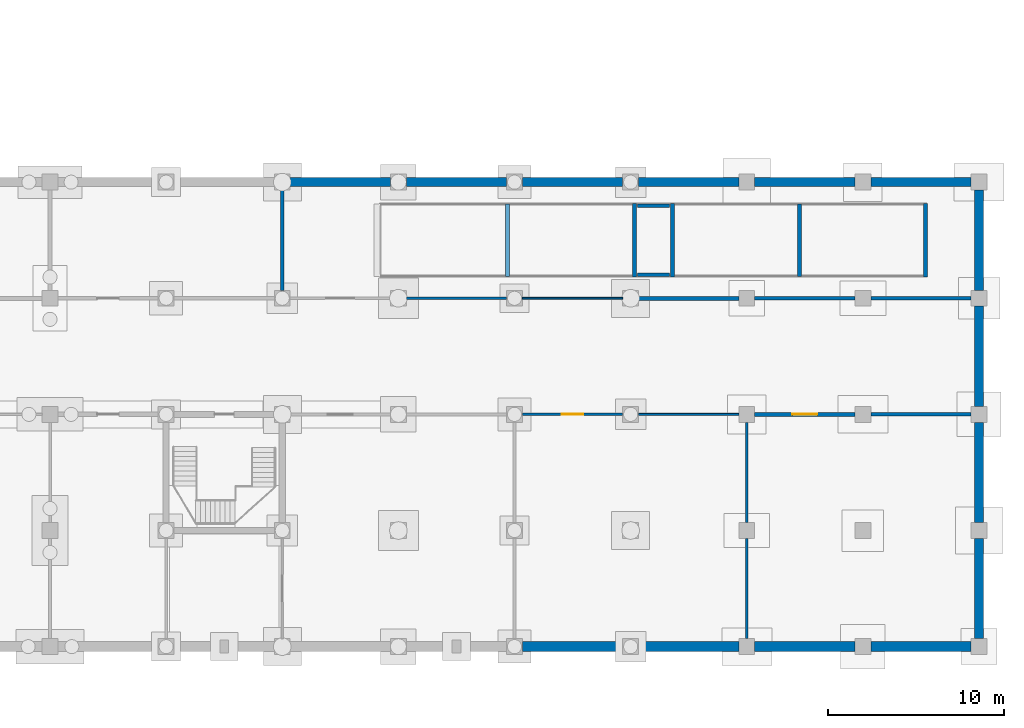
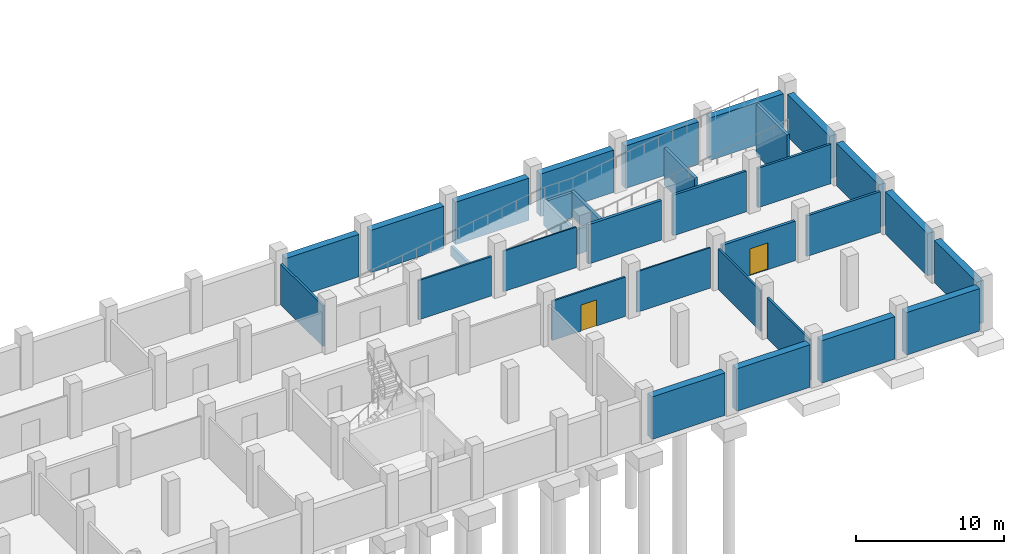
# One storey, part 11 of 18: 33 walls, 2 doors, 2 openings.
"""IFC4 building model written with IfcOpenShell, lengths in metres."""

from ifc_helpers import new_model, si_unit, direction, frame, frame_2d, origin, place, context, subcontext, project, spatial, rectangle, extrude, material, layer, layer_set, type_object, element, fill, save


model = new_model("IFC4")

# Units and contexts
model_context = context("Model", 3, precision=1e-05, world=origin(), true_north=direction((0.0, 1.0)))
body_context = subcontext(model_context, "Body", "Model", "MODEL_VIEW")
ifc_project = project(units=[si_unit("LENGTHUNIT", "METRE"), si_unit("AREAUNIT", "SQUARE_METRE"), si_unit("VOLUMEUNIT", "CUBIC_METRE"), si_unit("PLANEANGLEUNIT", "RADIAN"), si_unit("MASSUNIT", "GRAM", prefix="KILO")], contexts=[model_context])

# Site, building, storey
site_placement = place(None, origin())
site = spatial("IfcSite", under=ifc_project, at=site_placement, CompositionType="ELEMENT")
building_placement = place(site_placement, origin())
building = spatial("IfcBuilding", under=site, at=building_placement, Name="Rusizi Kubbe Research Institute", CompositionType="ELEMENT")
storey_placement = place(building_placement, frame((0.0, 0.0, -4.5)))
storey = spatial("IfcBuildingStorey", under=building, at=storey_placement, Name="B01", CompositionType="ELEMENT", Elevation=-4.5)

# Wall
ifc_material_1 = material(Name="Concrete Blockwork Fire Partition", Category="masonry")
ifc_layer_1 = layer(ifc_material_1, 0.22509765625)
ifc_layer_set_1 = layer_set([ifc_layer_1], Name="Concrete Blockwork Fire Partition")
wall_type_1 = type_object("IfcWallType", Name="IW-01", PredefinedType="PARTITIONING", material=ifc_layer_set_1)
wall_1_placement = place(storey_placement, frame((99.449951171875, 19.800048828125, 0.0), z_axis=(0.0, 0.0, 1.0), x_axis=(1.0, 0.0, 0.0)))
element("IfcWall", 1, at=wall_1_placement, inside=storey, type_object=wall_type_1, Name="Interior Partition Wall B01 H15-3", PredefinedType="PARTITIONING", context=body_context, shape_type="SweptSolid", body=[
    extrude(rectangle(XDim=5.699951171875, YDim=0.22509765625, at=frame_2d((2.85009765625, 0.0))), origin(), (0.0, 0.0, 1.0), 3.239990234375),
])

# Wall, opening, door
wall_2_placement = place(storey_placement, frame((106.050048828125, 13.199951171875, 0.0), z_axis=(0.0, 0.0, 1.0), x_axis=(1.0, 0.0, 0.0)))
wall_2 = element("IfcWall", 2, at=wall_2_placement, inside=storey, type_object=wall_type_1, Name="Interior Partition Wall B01 H16-2", PredefinedType="PARTITIONING", context=body_context, shape_type="SweptSolid", body=[
    extrude(rectangle(XDim=5.699951171875, YDim=0.22509765625, at=frame_2d((2.85009765625, 0.0))), origin(), (0.0, 0.0, 1.0), 3.239990234375),
])
opening_1_placement = place(wall_2_placement, frame((2.139892578125, 0.0, 0.0)))
opening_1 = element("IfcOpeningElement", 3, at=opening_1_placement, cuts=wall_2, Name="Opening D-22", PredefinedType="OPENING", context=body_context, shape_type="SweptSolid", body=[
    extrude(rectangle(XDim=1.419921875, YDim=2.199951171875, at=frame_2d((0.7099609375, 1.10009765625))), frame((0.0, 0.12255859375, 0.0), z_axis=(0.0, -1.0, 0.0), x_axis=(1.0, 0.0, 0.0)), (0.0, 0.0, 1.0), 0.2451171875),
])
ifc_material_2 = material(Name="Fire-Rated Steel Frame and Acoustic Timber Leaf", Category="wood")
door_type_1 = type_object("IfcDoorType", Name="ID-STR-142", OperationType="DOUBLE_DOOR_SINGLE_SWING", PredefinedType="DOOR", material=ifc_material_2)
door_1_placement = place(opening_1_placement, origin())
door_1 = element("IfcDoor", 4, at=door_1_placement, inside=storey, type_object=door_type_1, Name="Door to Basement Parking and Ramp Arrival Zone (B01-EWS-07)", OperationType="DOUBLE_DOOR_SINGLE_SWING", OverallHeight=2.199951171875, OverallWidth=1.419921875, PredefinedType="DOOR", context=body_context, shape_type="SweptSolid", body=[
    extrude(rectangle(XDim=1.419921875, YDim=2.199951171875, at=frame_2d((0.7099609375, 1.10009765625))), frame((0.0, 0.02490234375, 0.0), z_axis=(0.0, -1.0, 0.0), x_axis=(1.0, 0.0, 0.0)), (0.0, 0.0, 1.0), 0.050048828125),
])
fill(opening_1, door_1)

# Walls
ifc_material_3 = material(Name="Insulated Cleanroom Partition", Category="masonry")
ifc_layer_2 = layer(ifc_material_3, 0.195068359375)
ifc_layer_set_2 = layer_set([ifc_layer_2], Name="Insulated Cleanroom Partition")
wall_type_2 = type_object("IfcWallType", Name="IW-02", PredefinedType="PARTITIONING", material=ifc_layer_set_2)
wall_3_placement = place(storey_placement, frame((106.050048828125, 19.800048828125, 0.0), z_axis=(0.0, 0.0, 1.0), x_axis=(1.0, 0.0, 0.0)))
element("IfcWall", 5, at=wall_3_placement, inside=storey, type_object=wall_type_2, Name="Interior Partition Wall B01 H16-3", PredefinedType="PARTITIONING", context=body_context, shape_type="SweptSolid", body=[
    extrude(rectangle(XDim=5.699951171875, YDim=0.195068359375, at=frame_2d((2.85009765625, 0.0))), origin(), (0.0, 0.0, 1.0), 3.340087890625),
])
wall_4_placement = place(storey_placement, frame((112.64990234375, 13.199951171875, 0.0), z_axis=(0.0, 0.0, 1.0), x_axis=(1.0, 0.0, 0.0)))
element("IfcWall", 6, at=wall_4_placement, inside=storey, type_object=wall_type_2, Name="Interior Partition Wall B01 H17-2", PredefinedType="PARTITIONING", context=body_context, shape_type="SweptSolid", body=[
    extrude(rectangle(XDim=5.7001953125, YDim=0.195068359375, at=frame_2d((2.85009765625, 0.0))), origin(), (0.0, 0.0, 1.0), 3.340087890625),
])
ifc_material_4 = material(Name="Acoustic Laboratory Partition", Category="masonry")
ifc_layer_3 = layer(ifc_material_4, 0.175048828125)
ifc_layer_set_3 = layer_set([ifc_layer_3], Name="Acoustic Laboratory Partition")
wall_type_3 = type_object("IfcWallType", Name="IW-03", PredefinedType="PARTITIONING", material=ifc_layer_set_3)
wall_5_placement = place(storey_placement, frame((79.199951171875, 20.25, 0.0), z_axis=(0.0, 0.0, 1.0), x_axis=(0.0, 1.0, 0.0)))
element("IfcWall", 7, at=wall_5_placement, inside=storey, type_object=wall_type_3, Name="Interior Partition Wall B01 V12-3", PredefinedType="PARTITIONING", context=body_context, shape_type="SweptSolid", body=[
    extrude(rectangle(XDim=5.699951171875, YDim=0.175048828125, at=frame_2d((2.85009765625, 0.0))), origin(), (0.0, 0.0, 1.0), 3.340087890625),
])
wall_6_placement = place(storey_placement, frame((112.64990234375, 19.800048828125, 0.0), z_axis=(0.0, 0.0, 1.0), x_axis=(1.0, 0.0, 0.0)))
element("IfcWall", 8, at=wall_6_placement, inside=storey, type_object=wall_type_3, Name="Interior Partition Wall B01 H17-3", PredefinedType="PARTITIONING", context=body_context, shape_type="SweptSolid", body=[
    extrude(rectangle(XDim=5.7001953125, YDim=0.175048828125, at=frame_2d((2.85009765625, 0.0))), origin(), (0.0, 0.0, 1.0), 3.239990234375),
])
ifc_material_5 = material(Name="Fire-Rated Corridor Partition", Category="masonry")
ifc_layer_4 = layer(ifc_material_5, 0.155029296875)
ifc_layer_set_4 = layer_set([ifc_layer_4], Name="Fire-Rated Corridor Partition")
wall_type_4 = type_object("IfcWallType", Name="IW-04", PredefinedType="PARTITIONING", material=ifc_layer_set_4)
wall_7_placement = place(storey_placement, frame((105.60009765625, 0.449951171875, 0.0), z_axis=(0.0, 0.0, 1.0), x_axis=(0.0, 1.0, 0.0)))
element("IfcWall", 9, at=wall_7_placement, inside=storey, type_object=wall_type_4, Name="Interior Partition Wall B01 V16-0", PredefinedType="PARTITIONING", context=body_context, shape_type="SweptSolid", body=[
    extrude(rectangle(XDim=5.699951171875, YDim=0.155029296875, at=frame_2d((2.85009765625, 0.0))), origin(), (0.0, 0.0, 1.0), 3.340087890625),
])
ifc_material_6 = material(Name="Write-up Glazed Acoustic Partition", Category="masonry")
ifc_layer_5 = layer(ifc_material_6, 0.139892578125)
ifc_layer_set_5 = layer_set([ifc_layer_5], Name="Write-up Glazed Acoustic Partition")
wall_type_5 = type_object("IfcWallType", Name="IW-05", PredefinedType="PARTITIONING", material=ifc_layer_set_5)
wall_8_placement = place(storey_placement, frame((86.25, 19.800048828125, 0.0), z_axis=(0.0, 0.0, 1.0), x_axis=(1.0, 0.0, 0.0)))
element("IfcWall", 10, at=wall_8_placement, inside=storey, type_object=wall_type_5, Name="Interior Partition Wall B01 H13-3", PredefinedType="PARTITIONING", context=body_context, shape_type="SweptSolid", body=[
    extrude(rectangle(XDim=5.699951171875, YDim=0.139892578125, at=frame_2d((2.85009765625, 0.0))), origin(), (0.0, 0.0, 1.0), 3.239990234375),
])

# Wall, opening, door
wall_9_placement = place(storey_placement, frame((92.85009765625, 13.199951171875, 0.0), z_axis=(0.0, 0.0, 1.0), x_axis=(1.0, 0.0, 0.0)))
wall_9 = element("IfcWall", 11, at=wall_9_placement, inside=storey, type_object=wall_type_5, Name="Interior Partition Wall B01 H14-2", PredefinedType="PARTITIONING", context=body_context, shape_type="SweptSolid", body=[
    extrude(rectangle(XDim=5.699951171875, YDim=0.139892578125, at=frame_2d((2.85009765625, 0.0))), origin(), (0.0, 0.0, 1.0), 3.239990234375),
])
opening_2_placement = place(wall_9_placement, frame((2.239990234375, 0.0, 0.0)))
opening_2 = element("IfcOpeningElement", 12, at=opening_2_placement, cuts=wall_9, Name="Opening D-21", PredefinedType="OPENING", context=body_context, shape_type="SweptSolid", body=[
    extrude(rectangle(XDim=1.219970703125, YDim=2.14990234375, at=frame_2d((0.60986328125, 1.074951171875))), frame((0.0, 0.079833984375, 0.0), z_axis=(0.0, -1.0, 0.0), x_axis=(1.0, 0.0, 0.0)), (0.0, 0.0, 1.0), 0.159912109375),
])
ifc_material_7 = material(Name="Fire-Rated Steel Frame and Acoustic Timber Leaf", Category="wood")
door_type_2 = type_object("IfcDoorType", Name="ID-STR-122", OperationType="NOTDEFINED", PredefinedType="DOOR", material=ifc_material_7)
door_2_placement = place(opening_2_placement, origin())
door_2 = element("IfcDoor", 13, at=door_2_placement, inside=storey, type_object=door_type_2, Name="Door to Basement Parking and Ramp Arrival Zone (B01-EWS-06)", OperationType="SINGLE_SWING_RIGHT", OverallHeight=2.14990234375, OverallWidth=1.219970703125, PredefinedType="DOOR", context=body_context, shape_type="SweptSolid", body=[
    extrude(rectangle(XDim=1.219970703125, YDim=2.14990234375, at=frame_2d((0.60986328125, 1.074951171875))), frame((0.0, 0.02490234375, 0.0), z_axis=(0.0, -1.0, 0.0), x_axis=(1.0, 0.0, 0.0)), (0.0, 0.0, 1.0), 0.050048828125),
])
fill(opening_2, door_2)

# Walls
wall_10_placement = place(storey_placement, frame((105.60009765625, 7.050048828125, 0.0), z_axis=(0.0, 0.0, 1.0), x_axis=(0.0, 1.0, 0.0)))
element("IfcWall", 14, at=wall_10_placement, inside=storey, type_object=wall_type_5, Name="Interior Partition Wall B01 V16-1", PredefinedType="PARTITIONING", context=body_context, shape_type="SweptSolid", body=[
    extrude(rectangle(XDim=5.699951171875, YDim=0.139892578125, at=frame_2d((2.85009765625, 0.0))), origin(), (0.0, 0.0, 1.0), 3.340087890625),
])
ifc_material_8 = material(Name="Sub-Suite Fire Partition", Category="masonry")
ifc_layer_6 = layer(ifc_material_8, 0.110107421875)
ifc_layer_set_6 = layer_set([ifc_layer_6], Name="Sub-Suite Fire Partition")
wall_type_6 = type_object("IfcWallType", Name="IW-07", PredefinedType="PARTITIONING", material=ifc_layer_set_6)
for number, where, z_axis, x_axis, name in (
    (15, (92.85009765625, 19.800048828125, 0.0), (0.0, 0.0, 1.0), (1.0, 0.0, 0.0), "Interior Partition Wall B01 H14-3"),
    (16, (99.449951171875, 13.199951171875, 0.0), (0.0, 0.0, 1.0), (1.0, 0.0, 0.0), "Interior Partition Wall B01 H15-2"),
):
    element("IfcWall", number, at=place(storey_placement, frame(where, z_axis=z_axis, x_axis=x_axis)), inside=storey, type_object=wall_type_6, Name=name, PredefinedType="PARTITIONING", context=body_context, shape_type="SweptSolid", body=[
        extrude(rectangle(XDim=5.699951171875, YDim=0.110107421875, at=frame_2d((2.85009765625, 0.0))), origin(), (0.0, 0.0, 1.0), 3.340087890625),
    ])
ifc_material_9 = material(Name="Concrete C45/55", Category="concrete")
ifc_layer_7 = layer(ifc_material_9, 0.56005859375)
ifc_layer_set_7 = layer_set([ifc_layer_7], Name="Concrete C45/55")
wall_type_7 = type_object("IfcWallType", Name="RW-01", PredefinedType="USERDEFINED", material=ifc_layer_set_7)
for number, where, z_axis, x_axis, name in (
    (17, (92.85009765625, 0.0, 0.0), (0.0, 0.0, 1.0), (1.0, 0.0, 0.0), "Basement Retaining Wall B01 H14-0"),
    (18, (99.449951171875, 0.0, 0.0), (0.0, 0.0, 1.0), (1.0, 0.0, 0.0), "Basement Retaining Wall B01 H15-0"),
    (19, (106.050048828125, 0.0, 0.0), (0.0, 0.0, 1.0), (1.0, 0.0, 0.0), "Basement Retaining Wall B01 H16-0"),
):
    element("IfcWall", number, at=place(storey_placement, frame(where, z_axis=z_axis, x_axis=x_axis)), inside=storey, type_object=wall_type_7, Name=name, ObjectType="RETAINING WALL", PredefinedType="USERDEFINED", context=body_context, shape_type="SweptSolid", body=[
        extrude(rectangle(XDim=5.699951171875, YDim=0.56005859375, at=frame_2d((2.85009765625, 0.0))), origin(), (0.0, 0.0, 1.0), 3.489990234375),
    ])
wall_11_placement = place(storey_placement, frame((112.64990234375, 0.0, 0.0), z_axis=(0.0, 0.0, 1.0), x_axis=(1.0, 0.0, 0.0)))
element("IfcWall", 20, at=wall_11_placement, inside=storey, type_object=wall_type_7, Name="Basement Retaining Wall B01 H17-0", ObjectType="RETAINING WALL", PredefinedType="USERDEFINED", context=body_context, shape_type="SweptSolid", body=[
    extrude(rectangle(XDim=5.7001953125, YDim=0.56005859375, at=frame_2d((2.85009765625, 0.0))), origin(), (0.0, 0.0, 1.0), 3.489990234375),
])
ifc_material_10 = material(Name="Concrete C45/55", Category="concrete")
ifc_layer_8 = layer(ifc_material_10, 0.52001953125)
ifc_layer_set_8 = layer_set([ifc_layer_8], Name="Concrete C45/55")
wall_type_8 = type_object("IfcWallType", Name="RW-02", PredefinedType="USERDEFINED", material=ifc_layer_set_8)
wall_12_placement = place(storey_placement, frame((79.64990234375, 26.39990234375, 0.0), z_axis=(0.0, 0.0, 1.0), x_axis=(1.0, 0.0, 0.0)))
element("IfcWall", 21, at=wall_12_placement, inside=storey, type_object=wall_type_8, Name="Basement Retaining Wall B01 H12-4", ObjectType="RETAINING WALL", PredefinedType="USERDEFINED", context=body_context, shape_type="SweptSolid", body=[
    extrude(rectangle(XDim=5.7001953125, YDim=0.52001953125, at=frame_2d((2.85009765625, 0.0))), origin(), (0.0, 0.0, 1.0), 3.489990234375),
])
for number, where, z_axis, x_axis, name in (
    (22, (86.25, 26.39990234375, 0.0), (0.0, 0.0, 1.0), (1.0, 0.0, 0.0), "Basement Retaining Wall B01 H13-4"),
    (23, (92.85009765625, 26.39990234375, 0.0), (0.0, 0.0, 1.0), (1.0, 0.0, 0.0), "Basement Retaining Wall B01 H14-4"),
    (24, (99.449951171875, 26.39990234375, 0.0), (0.0, 0.0, 1.0), (1.0, 0.0, 0.0), "Basement Retaining Wall B01 H15-4"),
    (25, (106.050048828125, 26.39990234375, 0.0), (0.0, 0.0, 1.0), (1.0, 0.0, 0.0), "Basement Retaining Wall B01 H16-4"),
    (26, (118.800048828125, 0.449951171875, 0.0), (0.0, 0.0, 1.0), (0.0, 1.0, 0.0), "Basement Retaining Wall B01 V18-0"),
    (27, (118.800048828125, 7.050048828125, 0.0), (0.0, 0.0, 1.0), (0.0, 1.0, 0.0), "Basement Retaining Wall B01 V18-1"),
):
    element("IfcWall", number, at=place(storey_placement, frame(where, z_axis=z_axis, x_axis=x_axis)), inside=storey, type_object=wall_type_8, Name=name, ObjectType="RETAINING WALL", PredefinedType="USERDEFINED", context=body_context, shape_type="SweptSolid", body=[
        extrude(rectangle(XDim=5.699951171875, YDim=0.52001953125, at=frame_2d((2.85009765625, 0.0))), origin(), (0.0, 0.0, 1.0), 3.489990234375),
    ])
for number, where, z_axis, x_axis, name in (
    (28, (118.800048828125, 13.64990234375, 0.0), (0.0, 0.0, 1.0), (0.0, 1.0, 0.0), "Basement Retaining Wall B01 V18-2"),
    (29, (112.64990234375, 26.39990234375, 0.0), (0.0, 0.0, 1.0), (1.0, 0.0, 0.0), "Basement Retaining Wall B01 H17-4"),
):
    element("IfcWall", number, at=place(storey_placement, frame(where, z_axis=z_axis, x_axis=x_axis)), inside=storey, type_object=wall_type_8, Name=name, ObjectType="RETAINING WALL", PredefinedType="USERDEFINED", context=body_context, shape_type="SweptSolid", body=[
        extrude(rectangle(XDim=5.7001953125, YDim=0.52001953125, at=frame_2d((2.85009765625, 0.0))), origin(), (0.0, 0.0, 1.0), 3.489990234375),
    ])
wall_13_placement = place(storey_placement, frame((118.800048828125, 20.25, 0.0), z_axis=(0.0, 0.0, 1.0), x_axis=(0.0, 1.0, 0.0)))
element("IfcWall", 30, at=wall_13_placement, inside=storey, type_object=wall_type_8, Name="Basement Retaining Wall B01 V18-3", ObjectType="RETAINING WALL", PredefinedType="USERDEFINED", context=body_context, shape_type="SweptSolid", body=[
    extrude(rectangle(XDim=5.699951171875, YDim=0.52001953125, at=frame_2d((2.85009765625, 0.0))), origin(), (0.0, 0.0, 1.0), 3.489990234375),
])
ifc_material_11 = material(Name="Concrete C40/50", Category="concrete")
ifc_layer_9 = layer(ifc_material_11, 0.2099609375)
ifc_layer_set_9 = layer_set([ifc_layer_9], Name="Concrete C40/50")
wall_type_9 = type_object("IfcWallType", Name="RW-ISTEP210", PredefinedType="SOLIDWALL", material=ifc_layer_set_9)
for number, where, z_axis, x_axis, name in (
    (31, (99.219970703125, 21.02001953125, 0.0), (0.0, 0.0, 1.0), (0.0, 1.0, 0.0), "Vehicle Ramp Bearing Wall MLW"),
    (32, (101.3798828125, 21.02001953125, 0.0), (0.0, 0.0, 1.0), (0.0, 1.0, 0.0), "Vehicle Ramp Bearing Wall MLE"),
):
    element("IfcWall", number, at=place(storey_placement, frame(where, z_axis=z_axis, x_axis=x_axis)), inside=storey, type_object=wall_type_9, Name=name, PredefinedType="SOLIDWALL", context=body_context, shape_type="SweptSolid", body=[
        extrude(rectangle(XDim=4.159912109375, YDim=0.2099609375, at=frame_2d((2.080078125, 0.0))), origin(), (0.0, 0.0, 1.0), 2.06494140625),
    ])
for number, where, z_axis, x_axis, name in (
    (33, (99.3798828125, 21.139892578125, 0.0), (0.0, 0.0, 1.0), (1.0, 0.0, 0.0), "Vehicle Ramp Bearing Wall MLS"),
    (34, (99.3798828125, 25.06005859375, 0.0), (0.0, 0.0, 1.0), (1.0, 0.0, 0.0), "Vehicle Ramp Bearing Wall MLN"),
):
    element("IfcWall", number, at=place(storey_placement, frame(where, z_axis=z_axis, x_axis=x_axis)), inside=storey, type_object=wall_type_9, Name=name, PredefinedType="SOLIDWALL", context=body_context, shape_type="SweptSolid", body=[
        extrude(rectangle(XDim=1.840087890625, YDim=0.2099609375, at=frame_2d((0.919921875, 0.0))), origin(), (0.0, 0.0, 1.0), 2.06494140625),
    ])
wall_14_placement = place(storey_placement, frame((92.0, 21.050048828125, 0.0), z_axis=(0.0, 0.0, 1.0), x_axis=(0.0, 1.0, 0.0)))
element("IfcWall", 35, at=wall_14_placement, inside=storey, type_object=wall_type_9, Name="Vehicle Ramp Bearing Wall F1M", PredefinedType="SOLIDWALL", context=body_context, shape_type="SweptSolid", body=[
    extrude(rectangle(XDim=4.099853515625, YDim=0.2099609375, at=frame_2d((2.0498046875, 0.0))), origin(), (0.0, 0.0, 1.0), 0.840087890625),
])
wall_15_placement = place(storey_placement, frame((108.60009765625, 21.050048828125, 0.0), z_axis=(0.0, 0.0, 1.0), x_axis=(0.0, 1.0, 0.0)))
element("IfcWall", 36, at=wall_15_placement, inside=storey, type_object=wall_type_9, Name="Vehicle Ramp Bearing Wall F2M", PredefinedType="SOLIDWALL", context=body_context, shape_type="SweptSolid", body=[
    extrude(rectangle(XDim=4.099853515625, YDim=0.2099609375, at=frame_2d((2.0498046875, 0.0))), origin(), (0.0, 0.0, 1.0), 3.090087890625),
])
wall_16_placement = place(storey_placement, frame((115.760009765625, 21.02001953125, 0.0), z_axis=(0.0, 0.0, 1.0), x_axis=(0.0, 1.0, 0.0)))
element("IfcWall", 37, at=wall_16_placement, inside=storey, type_object=wall_type_9, Name="Vehicle Ramp Bearing Wall TOP", PredefinedType="SOLIDWALL", context=body_context, shape_type="SweptSolid", body=[
    extrude(rectangle(XDim=4.159912109375, YDim=0.2099609375, at=frame_2d((2.080078125, 0.0))), origin(), (0.0, 0.0, 1.0), 4.139892578125),
])

save(model, "model.ifc")
